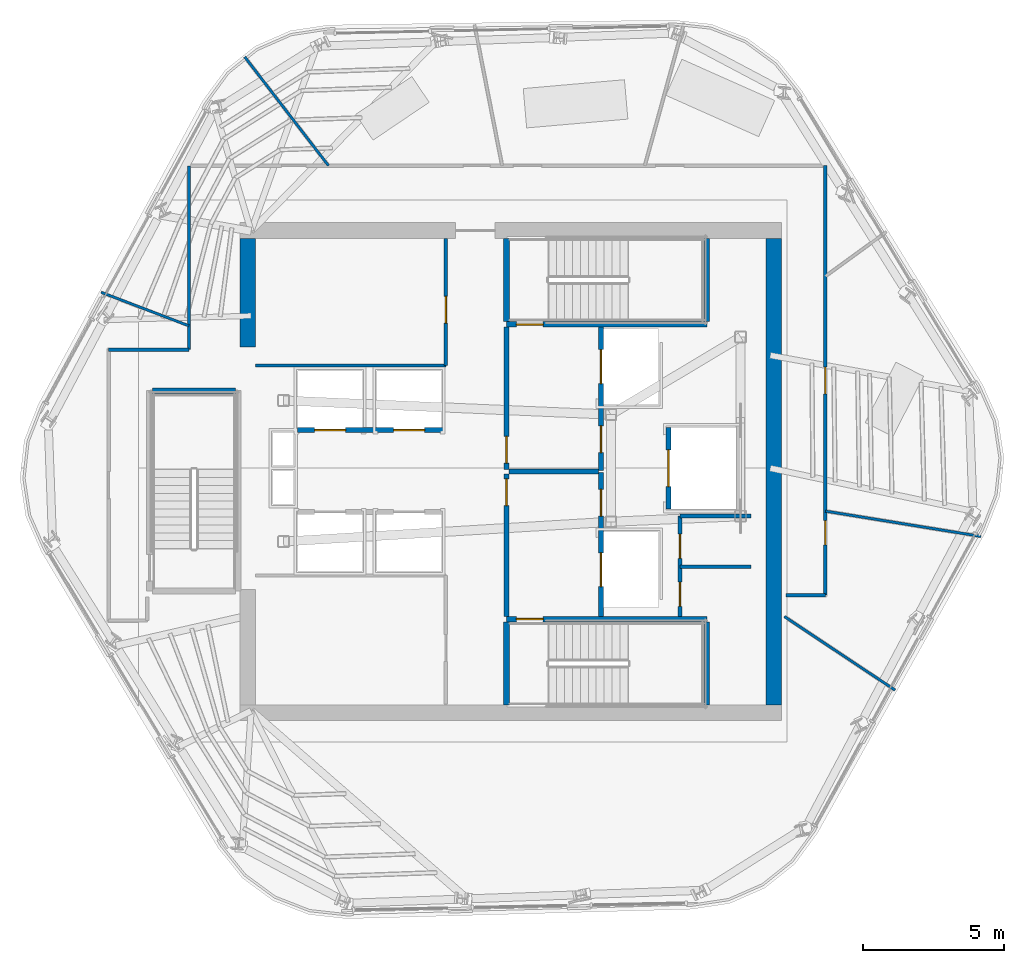
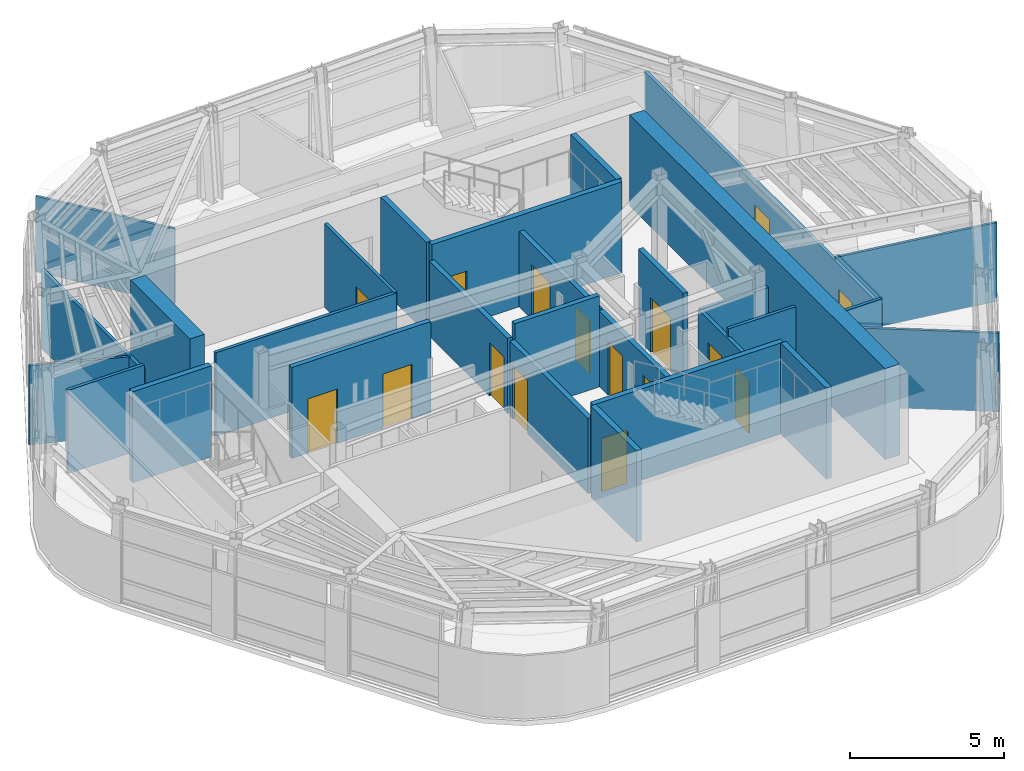
# One storey, part 7 of 13: 29 walls, 16 doors, 16 openings.
"""IFC4 building model written with IfcOpenShell, lengths in metres."""

from ifc_helpers import new_model, si_unit, direction, frame, frame_2d, origin, place, context, subcontext, project, spatial, rectangle, extrude, material, layer, layer_set, type_object, element, fill, save


model = new_model("IFC4")

# Units and contexts
model_context = context("Model", 3, precision=1e-05, world=origin(), true_north=direction((0.0, 1.0)))
body_context = subcontext(model_context, "Body", "Model", "MODEL_VIEW")
ifc_project = project(units=[si_unit("LENGTHUNIT", "METRE"), si_unit("AREAUNIT", "SQUARE_METRE"), si_unit("VOLUMEUNIT", "CUBIC_METRE"), si_unit("PLANEANGLEUNIT", "RADIAN"), si_unit("MASSUNIT", "GRAM", prefix="KILO")], contexts=[model_context])

# Site, building, storey
site_placement = place(None, origin())
site = spatial("IfcSite", under=ifc_project, at=site_placement, CompositionType="ELEMENT")
building_placement = place(site_placement, origin())
building = spatial("IfcBuilding", under=site, at=building_placement, Name="Valkerne Bourse Tower", CompositionType="ELEMENT")
storey_placement = place(building_placement, frame((0.0, 0.0, 288.800048828125)))
storey = spatial("IfcBuildingStorey", under=building, at=storey_placement, Name="L73", CompositionType="ELEMENT", Elevation=288.800048828125)

# Walls
ifc_material_1 = material(Name="Concrete C55/67", Category="concrete")
ifc_layer_1 = layer(ifc_material_1, 0.550048828125)
ifc_layer_set_1 = layer_set([ifc_layer_1], Name="Concrete C55/67")
wall_type_1 = type_object("IfcWallType", Name="W-CORE-550", PredefinedType="SHEAR", material=ifc_layer_set_1)
wall_1_placement = place(storey_placement, frame((56.125, 18.60009765625, 0.0), z_axis=(0.0, 0.0, 1.0), x_axis=(0.0, 1.0, 0.0)))
element("IfcWall", 1, at=wall_1_placement, inside=storey, type_object=wall_type_1, Name="L73 Core Shear Wall EAST", PredefinedType="SHEAR", context=body_context, shape_type="SweptSolid", body=[
    extrude(rectangle(XDim=16.5498046875, YDim=0.550048828125, at=frame_2d((8.27490234375, 0.0))), origin(), (0.0, 0.0, 1.0), 3.599853515625),
])
wall_2_placement = place(storey_placement, frame((37.47509765625, 31.300048828125, 0.0), z_axis=(0.0, 0.0, 1.0), x_axis=(0.0, 1.0, 0.0)))
element("IfcWall", 2, at=wall_2_placement, inside=storey, type_object=wall_type_1, Name="L73 Core Shear Wall WEST-N", PredefinedType="SHEAR", context=body_context, shape_type="SweptSolid", body=[
    extrude(rectangle(XDim=3.849853515625, YDim=0.550048828125, at=frame_2d((1.9248046875, 0.0))), origin(), (0.0, 0.0, 1.0), 3.599853515625),
])

# Wall, opening, door
ifc_material_2 = material(Name="Gypsum Board Steel-Stud Partition", Category="steel")
ifc_layer_2 = layer(ifc_material_2, 0.117919921875)
ifc_layer_set_2 = layer_set([ifc_layer_2], Name="Gypsum Board Steel-Stud Partition")
wall_type_2 = type_object("IfcWallType", Name="W-CORR-140", PredefinedType="PARTITIONING", material=ifc_layer_set_2)
wall_3_placement = place(storey_placement, frame((44.5, 30.639892578125, 0.0), z_axis=(0.0, 0.0, 1.0), x_axis=(0.0, 1.0, 0.0)))
wall_3 = element("IfcWall", 3, at=wall_3_placement, inside=storey, type_object=wall_type_2, Name="L73 LV7 Mid-Bank East Wall", PredefinedType="PARTITIONING", context=body_context, shape_type="SweptSolid", body=[
    extrude(rectangle(XDim=4.510009765625, YDim=0.117919921875, at=frame_2d((2.2548828125, 0.0))), origin(), (0.0, 0.0, 1.0), 3.300048828125),
])
opening_1_placement = place(wall_3_placement, frame((1.5, 0.0, 0.0)))
opening_1 = element("IfcOpeningElement", 4, at=opening_1_placement, cuts=wall_3, Name="Opening D-SV-950", PredefinedType="OPENING", context=body_context, shape_type="SweptSolid", body=[
    extrude(rectangle(XDim=0.949951171875, YDim=2.050048828125, at=frame_2d((0.47509765625, 1.02490234375))), frame((0.0, 0.06884765625, 0.0), z_axis=(0.0, -1.0, 0.0), x_axis=(1.0, 0.0, 0.0)), (0.0, 0.0, 1.0), 0.137939453125),
])
ifc_material_3 = material(Name="Galvanised Painted Steel", Category="steel")
door_type_1 = type_object("IfcDoorType", Name="DR-SRV-950", OperationType="NOTDEFINED", PredefinedType="DOOR", material=ifc_material_3)
door_1_placement = place(opening_1_placement, origin())
door_1 = element("IfcDoor", 5, at=door_1_placement, inside=storey, type_object=door_type_1, Name="L73 Executive Treasury Conference Door", OperationType="SINGLE_SWING_RIGHT", OverallHeight=2.050048828125, OverallWidth=0.949951171875, PredefinedType="DOOR", context=body_context, shape_type="SweptSolid", body=[
    extrude(rectangle(XDim=0.949951171875, YDim=2.050048828125, at=frame_2d((0.47509765625, 1.02490234375))), frame((0.0, 0.02490234375, 0.0), z_axis=(0.0, -1.0, 0.0), x_axis=(1.0, 0.0, 0.0)), (0.0, 0.0, 1.0), 0.050048828125),
])
fill(opening_1, door_1)

# Walls
wall_4_placement = place(storey_placement, frame((37.75, 30.639892578125, 0.0), z_axis=(0.0, 0.0, 1.0), x_axis=(1.0, 0.0, 0.0)))
element("IfcWall", 6, at=wall_4_placement, inside=storey, type_object=wall_type_2, Name="L73 LV7 Mid-Bank South Wall", PredefinedType="PARTITIONING", context=body_context, shape_type="SweptSolid", body=[
    extrude(rectangle(XDim=6.75, YDim=0.117919921875, at=frame_2d((3.375, 0.0))), origin(), (0.0, 0.0, 1.0), 3.300048828125),
])
wall_5_placement = place(storey_placement, frame((52.800048828125, 23.510009765625, 0.0), z_axis=(0.0, 0.0, 1.0), x_axis=(1.0, 0.0, 0.0)))
element("IfcWall", 7, at=wall_5_placement, inside=storey, type_object=wall_type_2, Name="L73 Core SE Dual Divider", PredefinedType="PARTITIONING", context=body_context, shape_type="SweptSolid", body=[
    extrude(rectangle(XDim=2.52001953125, YDim=0.117919921875, at=frame_2d((1.260009765625, 0.0))), origin(), (0.0, 0.0, 1.0), 3.300048828125),
])
wall_6_placement = place(storey_placement, frame((35.39990234375, 31.199951171875, 0.0), z_axis=(0.0, 0.0, 1.0), x_axis=(0.0, 1.0, 0.0)))
element("IfcWall", 8, at=wall_6_placement, inside=storey, type_object=wall_type_2, Name="L73 Corridor Enclosure Wall", PredefinedType="PARTITIONING", context=body_context, shape_type="SweptSolid", body=[
    extrude(rectangle(XDim=6.52001953125, YDim=0.117919921875, at=frame_2d((3.260009765625, 0.0))), origin(), (0.0, 0.0, 1.0), 3.114990234375),
])

# Wall, openings, doors
wall_7_placement = place(storey_placement, frame((57.949951171875, 37.719970703125, 0.0), z_axis=(0.0, 0.0, 1.0), x_axis=(0.0, -1.0, 0.0)))
wall_7 = element("IfcWall", 9, at=wall_7_placement, inside=storey, type_object=wall_type_2, Name="L73 Corridor Enclosure Wall", PredefinedType="PARTITIONING", context=body_context, shape_type="SweptSolid", body=[
    extrude(rectangle(XDim=15.219970703125, YDim=0.117919921875, at=frame_2d((7.60986328125, 0.0))), origin(), (0.0, 0.0, 1.0), 3.041259765625),
])
opening_2_placement = place(wall_7_placement, frame((12.580078125, 0.0, 0.0)))
opening_2 = element("IfcOpeningElement", 10, at=opening_2_placement, cuts=wall_7, Name="Opening D-WC-900", PredefinedType="OPENING", context=body_context, shape_type="SweptSolid", body=[
    extrude(rectangle(XDim=0.860107421875, YDim=2.050048828125, at=frame_2d((0.43017578125, 1.02490234375))), frame((0.0, 0.06884765625, 0.0), z_axis=(0.0, -1.0, 0.0), x_axis=(1.0, 0.0, 0.0)), (0.0, 0.0, 1.0), 0.137939453125),
])
opening_3_placement = place(wall_7_placement, frame((7.135009765625, 0.0, 0.0)))
opening_3 = element("IfcOpeningElement", 11, at=opening_3_placement, cuts=wall_7, Name="Opening D-OF-950", PredefinedType="OPENING", context=body_context, shape_type="SweptSolid", body=[
    extrude(rectangle(XDim=0.949951171875, YDim=2.10009765625, at=frame_2d((0.47509765625, 1.050048828125))), frame((0.0, 0.06884765625, 0.0), z_axis=(0.0, -1.0, 0.0), x_axis=(1.0, 0.0, 0.0)), (0.0, 0.0, 1.0), 0.137939453125),
])
ifc_material_4 = material(Name="Architectural White Oak Timber", Category="wood")
door_type_2 = type_object("IfcDoorType", Name="DR-OFF-950", OperationType="NOTDEFINED", PredefinedType="DOOR", material=ifc_material_4)
door_2_placement = place(opening_3_placement, origin())
door_2 = element("IfcDoor", 12, at=door_2_placement, inside=storey, type_object=door_type_2, Name="L73 L73 Commodities Market Showroom 6 Door", OperationType="SINGLE_SWING_LEFT", OverallHeight=2.10009765625, OverallWidth=0.949951171875, PredefinedType="DOOR", context=body_context, shape_type="SweptSolid", body=[
    extrude(rectangle(XDim=0.949951171875, YDim=2.10009765625, at=frame_2d((0.47509765625, 1.050048828125))), frame((0.0, 0.02490234375, 0.0), z_axis=(0.0, -1.0, 0.0), x_axis=(1.0, 0.0, 0.0)), (0.0, 0.0, 1.0), 0.050048828125),
])
fill(opening_3, door_2)
door_type_3 = type_object("IfcDoorType", Name="DR-WC-900", OperationType="NOTDEFINED", PredefinedType="DOOR", material=ifc_material_4)
door_3_placement = place(opening_2_placement, origin())
door_3 = element("IfcDoor", 13, at=door_3_placement, inside=storey, type_object=door_type_3, Name="L73 L73 Women Restroom & Shower WC 2 Door", OperationType="SINGLE_SWING_RIGHT", OverallHeight=2.050048828125, OverallWidth=0.860107421875, PredefinedType="DOOR", context=body_context, shape_type="SweptSolid", body=[
    extrude(rectangle(XDim=0.860107421875, YDim=2.050048828125, at=frame_2d((0.43017578125, 1.02490234375))), frame((0.0, 0.02490234375, 0.0), z_axis=(0.0, -1.0, 0.0), x_axis=(1.0, 0.0, 0.0)), (0.0, 0.0, 1.0), 0.050048828125),
])
fill(opening_2, door_3)

# Walls
wall_8_placement = place(storey_placement, frame((57.949951171875, 22.5, 0.0), z_axis=(0.0, 0.0, 1.0), x_axis=(-1.0, 0.0, 0.0)))
element("IfcWall", 14, at=wall_8_placement, inside=storey, type_object=wall_type_2, Name="L73 Corridor Enclosure Wall", PredefinedType="PARTITIONING", context=body_context, shape_type="SweptSolid", body=[
    extrude(rectangle(XDim=1.389892578125, YDim=0.117919921875, at=frame_2d((0.69482421875, 0.0))), origin(), (0.0, 0.0, 1.0), 3.300048828125),
])
wall_9_placement = place(storey_placement, frame((32.550048828125, 31.199951171875, 0.0), z_axis=(0.0, 0.0, 1.0), x_axis=(1.0, 0.0, 0.0)))
element("IfcWall", 15, at=wall_9_placement, inside=storey, type_object=wall_type_2, Name="L73 Corridor Enclosure Wall", PredefinedType="PARTITIONING", context=body_context, shape_type="SweptSolid", body=[
    extrude(rectangle(XDim=2.849853515625, YDim=0.117919921875, at=frame_2d((1.4248046875, 0.0))), origin(), (0.0, 0.0, 1.0), 3.300048828125),
])
ifc_material_5 = material(Name="Gypsum Fire-Rated Shaftwall", Category="gypsum")
ifc_layer_3 = layer(ifc_material_5, 0.179931640625)
ifc_layer_set_3 = layer_set([ifc_layer_3], Name="Gypsum Fire-Rated Shaftwall")
wall_type_3 = type_object("IfcWallType", Name="W-FSAE-180", PredefinedType="PARTITIONING", material=ifc_layer_set_3)
wall_10_placement = place(storey_placement, frame((46.739990234375, 26.8798828125, 0.0), z_axis=(0.0, 0.0, 1.0), x_axis=(1.0, 0.0, 0.0)))
element("IfcWall", 16, at=wall_10_placement, inside=storey, type_object=wall_type_3, Name="L73 FSAE-1/2 Lobby Dividing Fire Wall", PredefinedType="PARTITIONING", context=body_context, shape_type="SweptSolid", body=[
    extrude(rectangle(XDim=3.169921875, YDim=0.179931640625, at=frame_2d((1.5849609375, 0.0))), origin(), (0.0, 0.0, 1.0), 3.599853515625),
])

# Wall, opening, door
wall_11_placement = place(storey_placement, frame((46.64990234375, 21.75, 0.0), z_axis=(0.0, 0.0, 1.0), x_axis=(0.0, 1.0, 0.0)))
wall_11 = element("IfcWall", 17, at=wall_11_placement, inside=storey, type_object=wall_type_3, Name="L73 FSAE-1 Lobby West Fire Wall", PredefinedType="PARTITIONING", context=body_context, shape_type="SweptSolid", body=[
    extrude(rectangle(XDim=5.050048828125, YDim=0.179931640625, at=frame_2d((2.52490234375, 0.0))), origin(), (0.0, 0.0, 1.0), 2.977783203125),
])
opening_4_placement = place(wall_11_placement, frame((3.919921875, 0.0, 0.0)))
opening_4 = element("IfcOpeningElement", 18, at=opening_4_placement, cuts=wall_11, Name="Opening D-FS-950", PredefinedType="OPENING", context=body_context, shape_type="SweptSolid", body=[
    extrude(rectangle(XDim=0.949951171875, YDim=2.10009765625, at=frame_2d((0.47509765625, 1.050048828125))), frame((0.0, 0.099853515625, 0.0), z_axis=(0.0, -1.0, 0.0), x_axis=(1.0, 0.0, 0.0)), (0.0, 0.0, 1.0), 0.199951171875),
])
door_type_4 = type_object("IfcDoorType", Name="DR-FSAE-950", OperationType="NOTDEFINED", PredefinedType="DOOR", material=ifc_material_3)
door_4_placement = place(opening_4_placement, origin())
door_4 = element("IfcDoor", 19, at=door_4_placement, inside=storey, type_object=door_type_4, Name="L73 FSAE-1 Hall Link Fire Door", OperationType="SINGLE_SWING_LEFT", OverallHeight=2.10009765625, OverallWidth=0.949951171875, PredefinedType="DOOR", context=body_context, shape_type="SweptSolid", body=[
    extrude(rectangle(XDim=0.949951171875, YDim=2.10009765625, at=frame_2d((0.47509765625, 1.050048828125))), frame((0.0, 0.02490234375, 0.0), z_axis=(0.0, -1.0, 0.0), x_axis=(1.0, 0.0, 0.0)), (0.0, 0.0, 1.0), 0.050048828125),
])
fill(opening_4, door_4)

wall_12_placement = place(storey_placement, frame((46.64990234375, 26.9599609375, 0.0), z_axis=(0.0, 0.0, 1.0), x_axis=(0.0, 1.0, 0.0)))
wall_12 = element("IfcWall", 20, at=wall_12_placement, inside=storey, type_object=wall_type_3, Name="L73 FSAE-2 Lobby West Fire Wall", PredefinedType="PARTITIONING", context=body_context, shape_type="SweptSolid", body=[
    extrude(rectangle(XDim=5.0400390625, YDim=0.179931640625, at=frame_2d((2.52001953125, 0.0))), origin(), (0.0, 0.0, 1.0), 2.977783203125),
])
opening_5_placement = place(wall_12_placement, frame((0.219970703125, 0.0, 0.0)))
opening_5 = element("IfcOpeningElement", 21, at=opening_5_placement, cuts=wall_12, Name="Opening D-FS-950", PredefinedType="OPENING", context=body_context, shape_type="SweptSolid", body=[
    extrude(rectangle(XDim=0.949951171875, YDim=2.10009765625, at=frame_2d((0.47509765625, 1.050048828125))), frame((0.0, 0.099853515625, 0.0), z_axis=(0.0, -1.0, 0.0), x_axis=(1.0, 0.0, 0.0)), (0.0, 0.0, 1.0), 0.199951171875),
])
door_5_placement = place(opening_5_placement, origin())
door_5 = element("IfcDoor", 22, at=door_5_placement, inside=storey, type_object=door_type_4, Name="L73 FSAE-2 Hall Link Fire Door", OperationType="SINGLE_SWING_LEFT", OverallHeight=2.10009765625, OverallWidth=0.949951171875, PredefinedType="DOOR", context=body_context, shape_type="SweptSolid", body=[
    extrude(rectangle(XDim=0.949951171875, YDim=2.10009765625, at=frame_2d((0.47509765625, 1.050048828125))), frame((0.0, 0.02490234375, 0.0), z_axis=(0.0, -1.0, 0.0), x_axis=(1.0, 0.0, 0.0)), (0.0, 0.0, 1.0), 0.050048828125),
])
fill(opening_5, door_5)

# Wall, openings, doors
wall_13_placement = place(storey_placement, frame((50.0, 21.75, 0.0), z_axis=(0.0, 0.0, 1.0), x_axis=(0.0, 1.0, 0.0)))
wall_13 = element("IfcWall", 23, at=wall_13_placement, inside=storey, type_object=wall_type_3, Name="L73 FSAE-1 Lobby & Shaft Front Wall", PredefinedType="PARTITIONING", context=body_context, shape_type="SweptSolid", body=[
    extrude(rectangle(XDim=5.090087890625, YDim=0.179931640625, at=frame_2d((2.544921875, 0.0))), origin(), (0.0, 0.0, 1.0), 2.977783203125),
])
opening_6_placement = place(wall_13_placement, frame((1.050048828125, 0.0, 0.0)))
opening_6 = element("IfcOpeningElement", 24, at=opening_6_placement, cuts=wall_13, Name="Opening LD-1200", PredefinedType="OPENING", context=body_context, shape_type="SweptSolid", body=[
    extrude(rectangle(XDim=1.199951171875, YDim=2.14990234375, at=frame_2d((0.60009765625, 1.074951171875))), frame((0.0, 0.099853515625, 0.0), z_axis=(0.0, -1.0, 0.0), x_axis=(1.0, 0.0, 0.0)), (0.0, 0.0, 1.0), 0.199951171875),
])
opening_7_placement = place(wall_13_placement, frame((3.550048828125, 0.0, 0.0)))
opening_7 = element("IfcOpeningElement", 25, at=opening_7_placement, cuts=wall_13, Name="Opening D-FS-950", PredefinedType="OPENING", context=body_context, shape_type="SweptSolid", body=[
    extrude(rectangle(XDim=0.949951171875, YDim=2.10009765625, at=frame_2d((0.47509765625, 1.050048828125))), frame((0.0, 0.099853515625, 0.0), z_axis=(0.0, -1.0, 0.0), x_axis=(1.0, 0.0, 0.0)), (0.0, 0.0, 1.0), 0.199951171875),
])
door_6_placement = place(opening_7_placement, origin())
door_6 = element("IfcDoor", 26, at=door_6_placement, inside=storey, type_object=door_type_4, Name="L73 FSAE-1 Lobby Corridor Fire Door", OperationType="SINGLE_SWING_LEFT", OverallHeight=2.10009765625, OverallWidth=0.949951171875, PredefinedType="DOOR", context=body_context, shape_type="SweptSolid", body=[
    extrude(rectangle(XDim=0.949951171875, YDim=2.10009765625, at=frame_2d((0.47509765625, 1.050048828125))), frame((0.0, 0.02490234375, 0.0), z_axis=(0.0, -1.0, 0.0), x_axis=(1.0, 0.0, 0.0)), (0.0, 0.0, 1.0), 0.050048828125),
])
fill(opening_7, door_6)
ifc_material_6 = material(Name="Stainless Steel AISI 316", Category="steel")
door_type_5 = type_object("IfcDoorType", Name="DR-LIFT-1200", OperationType="DOUBLE_DOOR_SLIDING", PredefinedType="DOOR", material=ifc_material_6)
door_7_placement = place(opening_6_placement, origin())
door_7 = element("IfcDoor", 27, at=door_7_placement, inside=storey, type_object=door_type_5, Name="L73 FSAE-1 Firefighting Lift Landing Door", OperationType="DOUBLE_DOOR_SLIDING", OverallHeight=2.14990234375, OverallWidth=1.199951171875, PredefinedType="DOOR", context=body_context, shape_type="SweptSolid", body=[
    extrude(rectangle(XDim=1.199951171875, YDim=2.14990234375, at=frame_2d((0.60009765625, 1.074951171875))), frame((0.0, 0.02490234375, 0.0), z_axis=(0.0, -1.0, 0.0), x_axis=(1.0, 0.0, 0.0)), (0.0, 0.0, 1.0), 0.050048828125),
])
fill(opening_6, door_7)

wall_14_placement = place(storey_placement, frame((50.0, 26.919921875, 0.0), z_axis=(0.0, 0.0, 1.0), x_axis=(0.0, 1.0, 0.0)))
wall_14 = element("IfcWall", 28, at=wall_14_placement, inside=storey, type_object=wall_type_3, Name="L73 FSAE-2 Lobby & Shaft Front Wall", PredefinedType="PARTITIONING", context=body_context, shape_type="SweptSolid", body=[
    extrude(rectangle(XDim=5.080078125, YDim=0.179931640625, at=frame_2d((2.5400390625, 0.0))), origin(), (0.0, 0.0, 1.0), 2.977783203125),
])
opening_8_placement = place(wall_14_placement, frame((3.080078125, 0.0, 0.0)))
opening_8 = element("IfcOpeningElement", 29, at=opening_8_placement, cuts=wall_14, Name="Opening LD-1200", PredefinedType="OPENING", context=body_context, shape_type="SweptSolid", body=[
    extrude(rectangle(XDim=1.199951171875, YDim=2.14990234375, at=frame_2d((0.60009765625, 1.074951171875))), frame((0.0, 0.099853515625, 0.0), z_axis=(0.0, -1.0, 0.0), x_axis=(1.0, 0.0, 0.0)), (0.0, 0.0, 1.0), 0.199951171875),
])
opening_9_placement = place(wall_14_placement, frame((0.6298828125, 0.0, 0.0)))
opening_9 = element("IfcOpeningElement", 30, at=opening_9_placement, cuts=wall_14, Name="Opening D-FS-950", PredefinedType="OPENING", context=body_context, shape_type="SweptSolid", body=[
    extrude(rectangle(XDim=0.949951171875, YDim=2.10009765625, at=frame_2d((0.47509765625, 1.050048828125))), frame((0.0, 0.099853515625, 0.0), z_axis=(0.0, -1.0, 0.0), x_axis=(1.0, 0.0, 0.0)), (0.0, 0.0, 1.0), 0.199951171875),
])
door_8_placement = place(opening_9_placement, origin())
door_8 = element("IfcDoor", 31, at=door_8_placement, inside=storey, type_object=door_type_4, Name="L73 FSAE-2 Lobby Corridor Fire Door", OperationType="SINGLE_SWING_LEFT", OverallHeight=2.10009765625, OverallWidth=0.949951171875, PredefinedType="DOOR", context=body_context, shape_type="SweptSolid", body=[
    extrude(rectangle(XDim=0.949951171875, YDim=2.10009765625, at=frame_2d((0.47509765625, 1.050048828125))), frame((0.0, 0.02490234375, 0.0), z_axis=(0.0, -1.0, 0.0), x_axis=(1.0, 0.0, 0.0)), (0.0, 0.0, 1.0), 0.050048828125),
])
fill(opening_9, door_8)
door_9_placement = place(opening_8_placement, origin())
door_9 = element("IfcDoor", 32, at=door_9_placement, inside=storey, type_object=door_type_5, Name="L73 FSAE-2 Firefighting Lift Landing Door", OperationType="DOUBLE_DOOR_SLIDING", OverallHeight=2.14990234375, OverallWidth=1.199951171875, PredefinedType="DOOR", context=body_context, shape_type="SweptSolid", body=[
    extrude(rectangle(XDim=1.199951171875, YDim=2.14990234375, at=frame_2d((0.60009765625, 1.074951171875))), frame((0.0, 0.02490234375, 0.0), z_axis=(0.0, -1.0, 0.0), x_axis=(1.0, 0.0, 0.0)), (0.0, 0.0, 1.0), 0.050048828125),
])
fill(opening_8, door_9)

# Wall, opening, door
ifc_material_7 = material(Name="CMU Blockwork Masonry 200mm", Category="masonry")
ifc_layer_4 = layer(ifc_material_7, 0.179931640625)
ifc_layer_set_4 = layer_set([ifc_layer_4], Name="CMU Blockwork Masonry 200mm")
wall_type_4 = type_object("IfcWallType", Name="W-LFT-180", PredefinedType="SOLIDWALL", material=ifc_layer_set_4)
wall_15_placement = place(storey_placement, frame((52.39990234375, 25.550048828125, 0.0), z_axis=(0.0, 0.0, 1.0), x_axis=(0.0, 1.0, 0.0)))
wall_15 = element("IfcWall", 33, at=wall_15_placement, inside=storey, type_object=wall_type_4, Name="L73 Service Lift SV-1 Front Wall", PredefinedType="SOLIDWALL", context=body_context, shape_type="SweptSolid", body=[
    extrude(rectangle(XDim=2.89990234375, YDim=0.179931640625, at=frame_2d((1.449951171875, 0.0))), origin(), (0.0, 0.0, 1.0), 3.599853515625),
])
opening_10_placement = place(wall_15_placement, frame((0.800048828125, 0.0, 0.0)))
opening_10 = element("IfcOpeningElement", 34, at=opening_10_placement, cuts=wall_15, Name="Opening LD-1300", PredefinedType="OPENING", context=body_context, shape_type="SweptSolid", body=[
    extrude(rectangle(XDim=1.300048828125, YDim=2.14990234375, at=frame_2d((0.64990234375, 1.074951171875))), frame((0.0, 0.099853515625, 0.0), z_axis=(0.0, -1.0, 0.0), x_axis=(1.0, 0.0, 0.0)), (0.0, 0.0, 1.0), 0.199951171875),
])
door_type_6 = type_object("IfcDoorType", Name="DR-LIFT-1300", OperationType="DOUBLE_DOOR_SLIDING", PredefinedType="DOOR", material=ifc_material_6)
door_10_placement = place(opening_10_placement, origin())
door_10 = element("IfcDoor", 35, at=door_10_placement, inside=storey, type_object=door_type_6, Name="L73 Service Lift SV-1 Landing Door", OperationType="DOUBLE_DOOR_SLIDING", OverallHeight=2.14990234375, OverallWidth=1.300048828125, PredefinedType="DOOR", context=body_context, shape_type="SweptSolid", body=[
    extrude(rectangle(XDim=1.300048828125, YDim=2.14990234375, at=frame_2d((0.64990234375, 1.074951171875))), frame((0.0, 0.02490234375, 0.0), z_axis=(0.0, -1.0, 0.0), x_axis=(1.0, 0.0, 0.0)), (0.0, 0.0, 1.0), 0.050048828125),
])
fill(opening_10, door_10)

# Wall, openings, doors
wall_16_placement = place(storey_placement, frame((39.25, 28.35009765625, 0.0), z_axis=(0.0, 0.0, 1.0), x_axis=(1.0, 0.0, 0.0)))
wall_16 = element("IfcWall", 36, at=wall_16_placement, inside=storey, type_object=wall_type_4, Name="L73 High-Zone North Cars Front Wall", PredefinedType="SOLIDWALL", context=body_context, shape_type="SweptSolid", body=[
    extrude(rectangle(XDim=5.199951171875, YDim=0.179931640625, at=frame_2d((2.60009765625, 0.0))), origin(), (0.0, 0.0, 1.0), 3.599853515625),
])
opening_11_placement = place(wall_16_placement, frame((0.60009765625, 0.0, 0.0)))
opening_11 = element("IfcOpeningElement", 37, at=opening_11_placement, cuts=wall_16, Name="Opening LD-1100", PredefinedType="OPENING", context=body_context, shape_type="SweptSolid", body=[
    extrude(rectangle(XDim=1.10009765625, YDim=2.14990234375, at=frame_2d((0.550048828125, 1.074951171875))), frame((0.0, 0.099853515625, 0.0), z_axis=(0.0, -1.0, 0.0), x_axis=(1.0, 0.0, 0.0)), (0.0, 0.0, 1.0), 0.199951171875),
])
opening_12_placement = place(wall_16_placement, frame((3.39990234375, 0.0, 0.0)))
opening_12 = element("IfcOpeningElement", 38, at=opening_12_placement, cuts=wall_16, Name="Opening LD-1100", PredefinedType="OPENING", context=body_context, shape_type="SweptSolid", body=[
    extrude(rectangle(XDim=1.10009765625, YDim=2.14990234375, at=frame_2d((0.550048828125, 1.074951171875))), frame((0.0, 0.099853515625, 0.0), z_axis=(0.0, -1.0, 0.0), x_axis=(1.0, 0.0, 0.0)), (0.0, 0.0, 1.0), 0.199951171875),
])
door_type_7 = type_object("IfcDoorType", Name="DR-LIFT-1100", OperationType="DOUBLE_DOOR_SLIDING", PredefinedType="DOOR", material=ifc_material_6)
door_11_placement = place(opening_11_placement, origin())
door_11 = element("IfcDoor", 39, at=door_11_placement, inside=storey, type_object=door_type_7, Name="L73 Passenger Lift PL-H3 Sliding Landing Door", OperationType="DOUBLE_DOOR_SLIDING", OverallHeight=2.14990234375, OverallWidth=1.10009765625, PredefinedType="DOOR", context=body_context, shape_type="SweptSolid", body=[
    extrude(rectangle(XDim=1.10009765625, YDim=2.14990234375, at=frame_2d((0.550048828125, 1.074951171875))), frame((0.0, 0.02490234375, 0.0), z_axis=(0.0, -1.0, 0.0), x_axis=(1.0, 0.0, 0.0)), (0.0, 0.0, 1.0), 0.050048828125),
])
fill(opening_11, door_11)
door_12_placement = place(opening_12_placement, origin())
door_12 = element("IfcDoor", 40, at=door_12_placement, inside=storey, type_object=door_type_7, Name="L73 Passenger Lift PL-H4 Sliding Landing Door", OperationType="DOUBLE_DOOR_SLIDING", OverallHeight=2.14990234375, OverallWidth=1.10009765625, PredefinedType="DOOR", context=body_context, shape_type="SweptSolid", body=[
    extrude(rectangle(XDim=1.10009765625, YDim=2.14990234375, at=frame_2d((0.550048828125, 1.074951171875))), frame((0.0, 0.02490234375, 0.0), z_axis=(0.0, -1.0, 0.0), x_axis=(1.0, 0.0, 0.0)), (0.0, 0.0, 1.0), 0.050048828125),
])
fill(opening_12, door_12)

# Walls
ifc_layer_5 = layer(ifc_material_2, 0.092041015625)
ifc_layer_set_5 = layer_set([ifc_layer_5], Name="Gypsum Board Steel-Stud Partition")
wall_type_5 = type_object("IfcWallType", Name="W-PART-115", PredefinedType="PARTITIONING", material=ifc_layer_set_5)
wall_17_placement = place(storey_placement, frame((40.340576171875, 37.72509765625, 0.0), z_axis=(0.0, 0.0, 1.0), x_axis=(-0.610140260633, 0.792293419356, 0.0)))
element("IfcWall", 41, at=wall_17_placement, inside=storey, type_object=wall_type_5, Name="L73 Suite Partition P03", PredefinedType="PARTITIONING", context=body_context, shape_type="SweptSolid", body=[
    extrude(rectangle(XDim=4.861328125, YDim=0.092041015625, at=frame_2d((2.4306640625, 0.0))), origin(), (0.0, 0.0, 1.0), 2.98291015625),
])
wall_18_placement = place(storey_placement, frame((35.39501953125, 32.0458984375, 0.0), z_axis=(0.0, 0.0, 1.0), x_axis=(-0.934122349653, 0.356952988331, 0.0)))
element("IfcWall", 42, at=wall_18_placement, inside=storey, type_object=wall_type_5, Name="L73 Suite Partition P04", PredefinedType="PARTITIONING", context=body_context, shape_type="SweptSolid", body=[
    extrude(rectangle(XDim=3.328125, YDim=0.092041015625, at=frame_2d((1.6640625, 0.0))), origin(), (0.0, 0.0, 1.0), 3.114990234375),
])
wall_19_placement = place(storey_placement, frame((56.5, 21.743896484375, 0.0), z_axis=(0.0, 0.0, 1.0), x_axis=(0.832559865169, -0.553935078244, 0.0)))
element("IfcWall", 43, at=wall_19_placement, inside=storey, type_object=wall_type_5, Name="L73 Suite Partition P05", PredefinedType="PARTITIONING", context=body_context, shape_type="SweptSolid", body=[
    extrude(rectangle(XDim=4.714111328125, YDim=0.092041015625, at=frame_2d((2.35693359375, 0.0))), origin(), (0.0, 0.0, 1.0), 3.114990234375),
])
wall_20_placement = place(storey_placement, frame((57.955078125, 25.47900390625, 0.0), z_axis=(0.0, 0.0, 1.0), x_axis=(0.987042871722, -0.160456752373, 0.0)))
element("IfcWall", 44, at=wall_20_placement, inside=storey, type_object=wall_type_5, Name="L73 Suite Partition P06", PredefinedType="PARTITIONING", context=body_context, shape_type="SweptSolid", body=[
    extrude(rectangle(XDim=5.58544921875, YDim=0.092041015625, at=frame_2d((2.792724609375, 0.0))), origin(), (0.0, 0.0, 1.0), 3.114990234375),
])

# Wall, opening, door
ifc_material_8 = material(Name="Concrete C40/50", Category="concrete")
ifc_layer_6 = layer(ifc_material_8, 0.199951171875)
ifc_layer_set_6 = layer_set([ifc_layer_6], Name="Concrete C40/50")
wall_type_6 = type_object("IfcWallType", Name="W-SHF-200", PredefinedType="SHEAR", material=ifc_layer_set_6)
wall_21_placement = place(storey_placement, frame((46.64990234375, 21.64990234375, 0.0), z_axis=(0.0, 0.0, 1.0), x_axis=(1.0, 0.0, 0.0)))
wall_21 = element("IfcWall", 45, at=wall_21_placement, inside=storey, type_object=wall_type_6, Name="L73 Exit Stair ST-1 Structural Shaft Wall North", PredefinedType="SHEAR", context=body_context, shape_type="SweptSolid", body=[
    extrude(rectangle(XDim=7.10009765625, YDim=0.199951171875, at=frame_2d((3.550048828125, 0.0))), origin(), (0.0, 0.0, 1.0), 3.599853515625),
])
opening_13_placement = place(wall_21_placement, frame((0.35009765625, 0.0, 0.0)))
opening_13 = element("IfcOpeningElement", 46, at=opening_13_placement, cuts=wall_21, Name="Opening D-ST-950", PredefinedType="OPENING", context=body_context, shape_type="SweptSolid", body=[
    extrude(rectangle(XDim=0.949951171875, YDim=2.10009765625, at=frame_2d((0.47509765625, 1.050048828125))), frame((0.0, 0.10986328125, 0.0), z_axis=(0.0, -1.0, 0.0), x_axis=(1.0, 0.0, 0.0)), (0.0, 0.0, 1.0), 0.219970703125),
])
door_type_8 = type_object("IfcDoorType", Name="DR-STAIR-950", OperationType="NOTDEFINED", PredefinedType="DOOR", material=ifc_material_3)
door_13_placement = place(opening_13_placement, origin())
door_13 = element("IfcDoor", 47, at=door_13_placement, inside=storey, type_object=door_type_8, Name="L73 Exit Stair ST-1 Door", OperationType="SINGLE_SWING_LEFT", OverallHeight=2.10009765625, OverallWidth=0.949951171875, PredefinedType="DOOR", context=body_context, shape_type="SweptSolid", body=[
    extrude(rectangle(XDim=0.949951171875, YDim=2.10009765625, at=frame_2d((0.47509765625, 1.050048828125))), frame((0.0, 0.02490234375, 0.0), z_axis=(0.0, -1.0, 0.0), x_axis=(1.0, 0.0, 0.0)), (0.0, 0.0, 1.0), 0.050048828125),
])
fill(opening_13, door_13)

# Walls
for number, where, z_axis, x_axis, name in (
    (48, (46.64990234375, 18.60009765625, 0.0), (0.0, 0.0, 1.0), (0.0, 1.0, 0.0), "L73 Exit Stair ST-1 Structural Shaft Wall West"),
    (49, (53.75, 18.60009765625, 0.0), (0.0, 0.0, 1.0), (0.0, 1.0, 0.0), "L73 Exit Stair ST-1 Structural Shaft Wall East"),
):
    element("IfcWall", number, at=place(storey_placement, frame(where, z_axis=z_axis, x_axis=x_axis)), inside=storey, type_object=wall_type_6, Name=name, PredefinedType="SHEAR", context=body_context, shape_type="SweptSolid", body=[
        extrude(rectangle(XDim=2.949951171875, YDim=0.199951171875, at=frame_2d((1.47509765625, 0.0))), origin(), (0.0, 0.0, 1.0), 3.599853515625),
    ])

# Wall, opening, door
wall_22_placement = place(storey_placement, frame((46.64990234375, 32.10009765625, 0.0), z_axis=(0.0, 0.0, 1.0), x_axis=(1.0, 0.0, 0.0)))
wall_22 = element("IfcWall", 50, at=wall_22_placement, inside=storey, type_object=wall_type_6, Name="L73 Exit Stair ST-2 Structural Shaft Wall South", PredefinedType="SHEAR", context=body_context, shape_type="SweptSolid", body=[
    extrude(rectangle(XDim=7.10009765625, YDim=0.199951171875, at=frame_2d((3.550048828125, 0.0))), origin(), (0.0, 0.0, 1.0), 3.599853515625),
])
opening_14_placement = place(wall_22_placement, frame((0.35009765625, 0.0, 0.0)))
opening_14 = element("IfcOpeningElement", 51, at=opening_14_placement, cuts=wall_22, Name="Opening D-ST-950", PredefinedType="OPENING", context=body_context, shape_type="SweptSolid", body=[
    extrude(rectangle(XDim=0.949951171875, YDim=2.10009765625, at=frame_2d((0.47509765625, 1.050048828125))), frame((0.0, 0.10986328125, 0.0), z_axis=(0.0, -1.0, 0.0), x_axis=(1.0, 0.0, 0.0)), (0.0, 0.0, 1.0), 0.219970703125),
])
door_14_placement = place(opening_14_placement, origin())
door_14 = element("IfcDoor", 52, at=door_14_placement, inside=storey, type_object=door_type_8, Name="L73 Exit Stair ST-2 Door", OperationType="SINGLE_SWING_LEFT", OverallHeight=2.10009765625, OverallWidth=0.949951171875, PredefinedType="DOOR", context=body_context, shape_type="SweptSolid", body=[
    extrude(rectangle(XDim=0.949951171875, YDim=2.10009765625, at=frame_2d((0.47509765625, 1.050048828125))), frame((0.0, 0.02490234375, 0.0), z_axis=(0.0, -1.0, 0.0), x_axis=(1.0, 0.0, 0.0)), (0.0, 0.0, 1.0), 0.050048828125),
])
fill(opening_14, door_14)

# Walls
for number, where, z_axis, x_axis, name in (
    (53, (46.64990234375, 32.199951171875, 0.0), (0.0, 0.0, 1.0), (0.0, 1.0, 0.0), "L73 Exit Stair ST-2 Structural Shaft Wall West"),
    (54, (53.75, 32.199951171875, 0.0), (0.0, 0.0, 1.0), (0.0, 1.0, 0.0), "L73 Exit Stair ST-2 Structural Shaft Wall East"),
    (55, (34.10009765625, 29.75, 0.0), (0.0, 0.0, 1.0), (1.0, 0.0, 0.0), "L73 Exit Stair ST-3 Structural Shaft Wall North"),
):
    element("IfcWall", number, at=place(storey_placement, frame(where, z_axis=z_axis, x_axis=x_axis)), inside=storey, type_object=wall_type_6, Name=name, PredefinedType="SHEAR", context=body_context, shape_type="SweptSolid", body=[
        extrude(rectangle(XDim=2.949951171875, YDim=0.199951171875, at=frame_2d((1.47509765625, 0.0))), origin(), (0.0, 0.0, 1.0), 3.599853515625),
    ])

# Wall, openings, doors
ifc_material_9 = material(Name="Moisture-Resistant Gypsum Partition", Category="gypsum")
ifc_layer_7 = layer(ifc_material_9, 0.139892578125)
ifc_layer_set_7 = layer_set([ifc_layer_7], Name="Moisture-Resistant Gypsum Partition")
wall_type_7 = type_object("IfcWallType", Name="W-WET-140", PredefinedType="PARTITIONING", material=ifc_layer_set_7)
wall_23_placement = place(storey_placement, frame((52.800048828125, 21.75, 0.0), z_axis=(0.0, 0.0, 1.0), x_axis=(0.0, 1.0, 0.0)))
wall_23 = element("IfcWall", 56, at=wall_23_placement, inside=storey, type_object=wall_type_7, Name="L73 Core SE Dual West Wall", PredefinedType="PARTITIONING", context=body_context, shape_type="SweptSolid", body=[
    extrude(rectangle(XDim=3.550048828125, YDim=0.139892578125, at=frame_2d((1.77490234375, 0.0))), origin(), (0.0, 0.0, 1.0), 2.977783203125),
])
opening_15_placement = place(wall_23_placement, frame((0.35009765625, 0.0, 0.0)))
opening_15 = element("IfcOpeningElement", 57, at=opening_15_placement, cuts=wall_23, Name="Opening D-WC-900", PredefinedType="OPENING", context=body_context, shape_type="SweptSolid", body=[
    extrude(rectangle(XDim=0.860107421875, YDim=2.050048828125, at=frame_2d((0.43017578125, 1.02490234375))), frame((0.0, 0.079833984375, 0.0), z_axis=(0.0, -1.0, 0.0), x_axis=(1.0, 0.0, 0.0)), (0.0, 0.0, 1.0), 0.159912109375),
])
opening_16_placement = place(wall_23_placement, frame((2.050048828125, 0.0, 0.0)))
opening_16 = element("IfcOpeningElement", 58, at=opening_16_placement, cuts=wall_23, Name="Opening D-WC-900", PredefinedType="OPENING", context=body_context, shape_type="SweptSolid", body=[
    extrude(rectangle(XDim=0.860107421875, YDim=2.050048828125, at=frame_2d((0.43017578125, 1.02490234375))), frame((0.0, 0.079833984375, 0.0), z_axis=(0.0, -1.0, 0.0), x_axis=(1.0, 0.0, 0.0)), (0.0, 0.0, 1.0), 0.159912109375),
])
door_15_placement = place(opening_15_placement, origin())
door_15 = element("IfcDoor", 59, at=door_15_placement, inside=storey, type_object=door_type_3, Name="L73 Linen Store Door", OperationType="SINGLE_SWING_RIGHT", OverallHeight=2.050048828125, OverallWidth=0.860107421875, PredefinedType="DOOR", context=body_context, shape_type="SweptSolid", body=[
    extrude(rectangle(XDim=0.860107421875, YDim=2.050048828125, at=frame_2d((0.43017578125, 1.02490234375))), frame((0.0, 0.02490234375, 0.0), z_axis=(0.0, -1.0, 0.0), x_axis=(1.0, 0.0, 0.0)), (0.0, 0.0, 1.0), 0.050048828125),
])
fill(opening_15, door_15)
door_16_placement = place(opening_16_placement, origin())
door_16 = element("IfcDoor", 60, at=door_16_placement, inside=storey, type_object=door_type_3, Name="L73 Espresso Kitchen Door", OperationType="SINGLE_SWING_RIGHT", OverallHeight=2.050048828125, OverallWidth=0.860107421875, PredefinedType="DOOR", context=body_context, shape_type="SweptSolid", body=[
    extrude(rectangle(XDim=0.860107421875, YDim=2.050048828125, at=frame_2d((0.43017578125, 1.02490234375))), frame((0.0, 0.02490234375, 0.0), z_axis=(0.0, -1.0, 0.0), x_axis=(1.0, 0.0, 0.0)), (0.0, 0.0, 1.0), 0.050048828125),
])
fill(opening_16, door_16)

# Wall
wall_24_placement = place(storey_placement, frame((52.800048828125, 25.300048828125, 0.0), z_axis=(0.0, 0.0, 1.0), x_axis=(1.0, 0.0, 0.0)))
element("IfcWall", 61, at=wall_24_placement, inside=storey, type_object=wall_type_7, Name="L73 Core SE Dual North Wall", PredefinedType="PARTITIONING", context=body_context, shape_type="SweptSolid", body=[
    extrude(rectangle(XDim=2.52001953125, YDim=0.139892578125, at=frame_2d((1.260009765625, 0.0))), origin(), (0.0, 0.0, 1.0), 2.977783203125),
])

save(model, "model.ifc")
